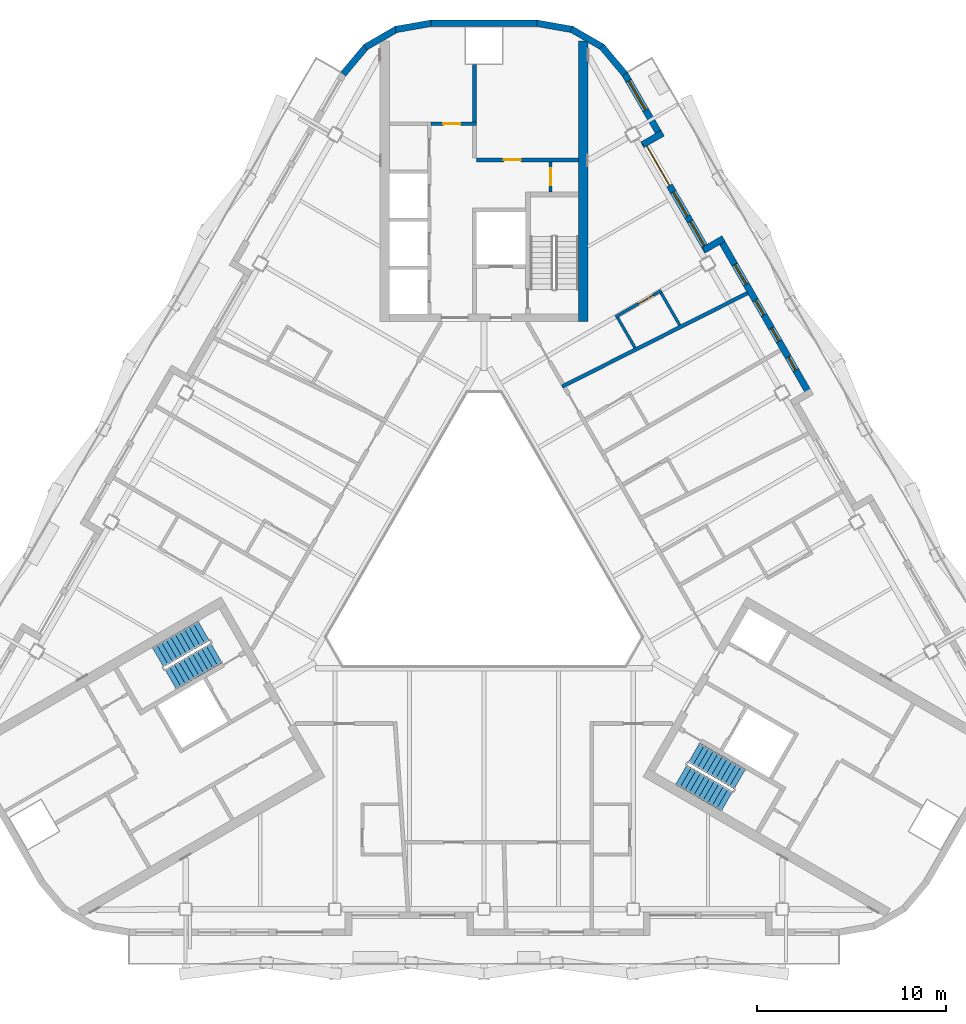
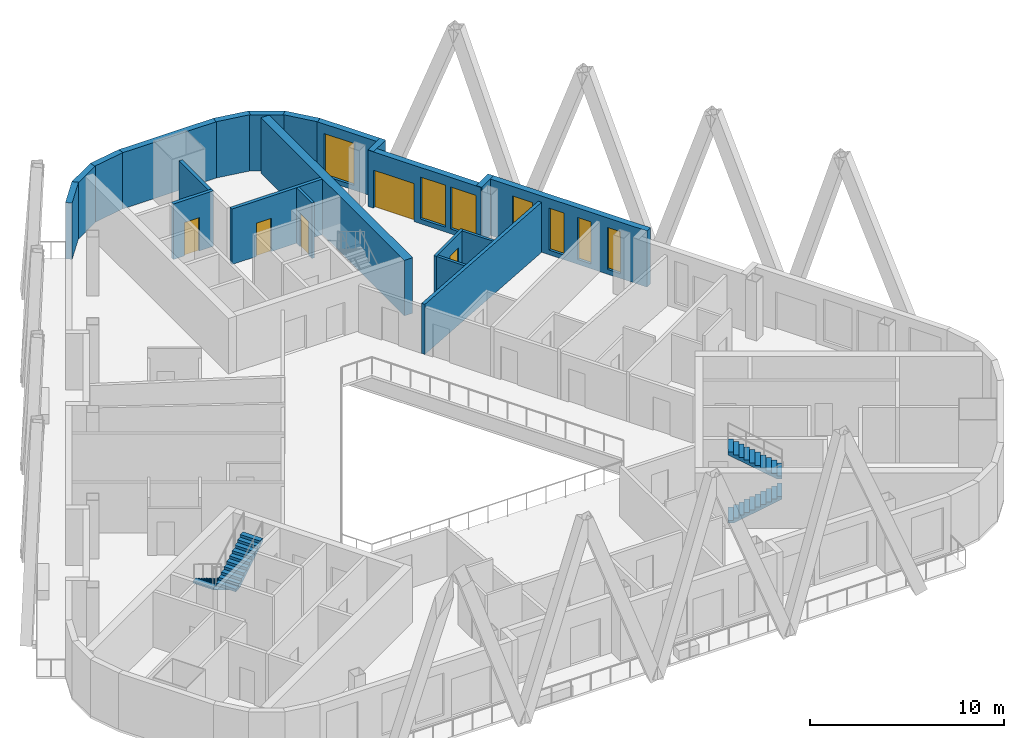
# One storey, part 10 of 18: 21 walls, 7 windows, 5 doors, 4 stair flights, 12 openings, 2 elements without a shape of their own.
"""IFC4 building model written with IfcOpenShell, lengths in metres."""

from ifc_helpers import new_model, si_unit, direction, frame, frame_2d, origin, place, context, subcontext, project, spatial, polyline, rectangle, outline, extrude, material, layer, layer_set, type_object, element, fill, aggregate, save


model = new_model("IFC4")

# Units and contexts
model_context = context("Model", 3, precision=1e-05, world=origin(), true_north=direction((0.0, 1.0)))
body_context = subcontext(model_context, "Body", "Model", "MODEL_VIEW")
ifc_project = project(units=[si_unit("LENGTHUNIT", "METRE"), si_unit("AREAUNIT", "SQUARE_METRE"), si_unit("VOLUMEUNIT", "CUBIC_METRE"), si_unit("PLANEANGLEUNIT", "RADIAN"), si_unit("MASSUNIT", "GRAM", prefix="KILO")], contexts=[model_context])

# Site, building, storey
site_placement = place(None, origin())
site = spatial("IfcSite", under=ifc_project, at=site_placement, CompositionType="ELEMENT")
building_placement = place(site_placement, origin())
building = spatial("IfcBuilding", under=site, at=building_placement, Name="Apuvela Tower Hotel", CompositionType="ELEMENT")
storey_placement = place(building_placement, frame((0.0, 0.0, 246.699951171875)))
storey = spatial("IfcBuildingStorey", under=building, at=storey_placement, Name="L60", CompositionType="ELEMENT", Elevation=246.699951171875)

# Wall
ifc_material_1 = material(Name="Concrete C50/60", Category="concrete")
ifc_layer_1 = layer(ifc_material_1, 0.5)
ifc_layer_set_1 = layer_set([ifc_layer_1], Name="COR-WALL-CORE-500")
wall_type_1 = type_object("IfcWallType", Name="COR-WALL-CORE-500", PredefinedType="SHEAR", material=ifc_layer_set_1)
wall_1_placement = place(storey_placement, frame((5.25, 12.89990234375, 0.0), z_axis=(0.0, 0.0, 1.0), x_axis=(0.0, 1.0, 0.0)))
element("IfcWall", 1, at=wall_1_placement, inside=storey, type_object=wall_type_1, Name="Core wall N", PredefinedType="SHEAR", context=body_context, shape_type="SweptSolid", body=[
    extrude(rectangle(XDim=14.8369140625, YDim=0.5, at=frame_2d((7.41845703125, 0.0))), origin(), (0.0, 0.0, 1.0), 3.5),
])

# Wall, opening, door
ifc_material_2 = material(Name="Blockwork 150 mm plastered", Category="masonry")
ifc_layer_2 = layer(ifc_material_2, 0.14990234375)
ifc_layer_set_2 = layer_set([ifc_layer_2], Name="COR-WALL-PART-150")
wall_type_2 = type_object("IfcWallType", Name="COR-WALL-PART-150", PredefinedType="PARTITIONING", material=ifc_layer_set_2)
wall_2_placement = place(storey_placement, frame((3.52490234375, 19.75, 0.0), z_axis=(0.0, 0.0, 1.0), x_axis=(0.0, 1.0, 0.0)))
wall_2 = element("IfcWall", 2, at=wall_2_placement, inside=storey, type_object=wall_type_2, Name="Partition N", PredefinedType="PARTITIONING", context=body_context, shape_type="SweptSolid", body=[
    extrude(rectangle(XDim=1.60009765625, YDim=0.14990234375, at=frame_2d((0.800048828125, 0.0))), origin(), (0.0, 0.0, 1.0), 3.5),
])
opening_1_placement = place(wall_2_placement, frame((0.35009765625, 0.0, 0.0)))
opening_1 = element("IfcOpeningElement", 3, at=opening_1_placement, cuts=wall_2, Name="Opening N-RD", PredefinedType="OPENING", context=body_context, shape_type="SweptSolid", body=[
    extrude(rectangle(XDim=0.89990234375, YDim=2.10009765625, at=frame_2d((0.449951171875, 1.050048828125))), frame((0.0, 0.0849609375, 0.0), z_axis=(0.0, -1.0, 0.0), x_axis=(1.0, 0.0, 0.0)), (0.0, 0.0, 1.0), 0.169921875),
])
ifc_material_3 = material(Name="Steel access door, powder coated", Category="steel")
door_type_1 = type_object("IfcDoorType", Name="COR-RD-900", OperationType="NOTDEFINED", PredefinedType="DOOR", material=ifc_material_3)
door_1_placement = place(opening_1_placement, frame((0.89990234375, 0.0, 0.0), z_axis=(0.0, 0.0, 1.0), x_axis=(-1.0, 0.0, 0.0)))
door_1 = element("IfcDoor", 4, at=door_1_placement, inside=storey, type_object=door_type_1, Name="Riser door N-RD", OperationType="SINGLE_SWING_RIGHT", OverallHeight=2.10009765625, OverallWidth=0.89990234375, PredefinedType="DOOR", context=body_context, shape_type="SweptSolid", body=[
    extrude(rectangle(XDim=0.89990234375, YDim=2.10009765625, at=frame_2d((0.449951171875, 1.050048828125))), frame((0.0, 0.02490234375, 0.0), z_axis=(0.0, -1.0, 0.0), x_axis=(1.0, 0.0, 0.0)), (0.0, 0.0, 1.0), 0.050048828125),
])
fill(opening_1, door_1)

ifc_material_4 = material(Name="Blockwork 200 mm plastered", Category="masonry")
ifc_layer_3 = layer(ifc_material_4, 0.199951171875)
ifc_layer_set_3 = layer_set([ifc_layer_3], Name="COR-WALL-PART-200")
wall_type_3 = type_object("IfcWallType", Name="COR-WALL-PART-200", PredefinedType="PARTITIONING", material=ifc_layer_set_3)
wall_3_placement = place(storey_placement, frame((5.0, 21.449951171875, 0.0), z_axis=(0.0, 0.0, 1.0), x_axis=(-1.0, 0.0, 0.0)))
wall_3 = element("IfcWall", 5, at=wall_3_placement, inside=storey, type_object=wall_type_3, Name="Partition N", PredefinedType="PARTITIONING", context=body_context, shape_type="SweptSolid", body=[
    extrude(rectangle(XDim=5.39990234375, YDim=0.199951171875, at=frame_2d((2.699951171875, 0.0))), origin(), (0.0, 0.0, 1.0), 3.5),
])
opening_2_placement = place(wall_3_placement, frame((3.050048828125, 0.0, 0.0)))
opening_2 = element("IfcOpeningElement", 6, at=opening_2_placement, cuts=wall_3, Name="Opening N-RS1", PredefinedType="OPENING", context=body_context, shape_type="SweptSolid", body=[
    extrude(rectangle(XDim=0.89990234375, YDim=2.10009765625, at=frame_2d((0.449951171875, 1.050048828125))), frame((0.0, 0.10986328125, 0.0), z_axis=(0.0, -1.0, 0.0), x_axis=(1.0, 0.0, 0.0)), (0.0, 0.0, 1.0), 0.219970703125),
])
ifc_material_5 = material(Name="Steel fire door, powder coated", Category="steel")
door_type_2 = type_object("IfcDoorType", Name="COR-DR-900", OperationType="NOTDEFINED", PredefinedType="DOOR", material=ifc_material_5)
door_2_placement = place(opening_2_placement, frame((0.89990234375, 0.0, 0.0), z_axis=(0.0, 0.0, 1.0), x_axis=(-1.0, 0.0, 0.0)))
door_2 = element("IfcDoor", 7, at=door_2_placement, inside=storey, type_object=door_type_2, Name="Store door N-RS1", OperationType="SINGLE_SWING_LEFT", OverallHeight=2.10009765625, OverallWidth=0.89990234375, PredefinedType="DOOR", context=body_context, shape_type="SweptSolid", body=[
    extrude(rectangle(XDim=0.89990234375, YDim=2.10009765625, at=frame_2d((0.449951171875, 1.050048828125))), frame((0.0, 0.02490234375, 0.0), z_axis=(0.0, -1.0, 0.0), x_axis=(1.0, 0.0, 0.0)), (0.0, 0.0, 1.0), 0.050048828125),
])
fill(opening_2, door_2)

ifc_layer_4 = layer(ifc_material_1, 0.199951171875)
ifc_layer_set_4 = layer_set([ifc_layer_4], Name="COR-WALL-SHAFT-200")
wall_type_4 = type_object("IfcWallType", Name="COR-WALL-SHAFT-200", PredefinedType="SHEAR", material=ifc_layer_set_4)
wall_4_placement = place(storey_placement, frame((-0.39990234375, 23.360107421875, 0.0), z_axis=(0.0, 0.0, 1.0), x_axis=(-1.0, 0.0, 0.0)))
wall_4 = element("IfcWall", 8, at=wall_4_placement, inside=storey, type_object=wall_type_4, Name="Shaft wall N", PredefinedType="SHEAR", context=body_context, shape_type="SweptSolid", body=[
    extrude(rectangle(XDim=2.400146484375, YDim=0.199951171875, at=frame_2d((1.2001953125, 0.0))), origin(), (0.0, 0.0, 1.0), 3.5),
])
opening_3_placement = place(wall_4_placement, frame((0.85009765625, 0.0, 0.0)))
opening_3 = element("IfcOpeningElement", 9, at=opening_3_placement, cuts=wall_4, Name="Opening N-REP", PredefinedType="OPENING", context=body_context, shape_type="SweptSolid", body=[
    extrude(rectangle(XDim=0.89990234375, YDim=2.10009765625, at=frame_2d((0.449951171875, 1.050048828125))), frame((0.0, 0.10986328125, 0.0), z_axis=(0.0, -1.0, 0.0), x_axis=(1.0, 0.0, 0.0)), (0.0, 0.0, 1.0), 0.219970703125),
])
door_3_placement = place(opening_3_placement, frame((0.89990234375, 0.0, 0.0), z_axis=(0.0, 0.0, 1.0), x_axis=(-1.0, 0.0, 0.0)))
door_3 = element("IfcDoor", 10, at=door_3_placement, inside=storey, type_object=door_type_2, Name="Store door N-REP", OperationType="SINGLE_SWING_LEFT", OverallHeight=2.10009765625, OverallWidth=0.89990234375, PredefinedType="DOOR", context=body_context, shape_type="SweptSolid", body=[
    extrude(rectangle(XDim=0.89990234375, YDim=2.10009765625, at=frame_2d((0.449951171875, 1.050048828125))), frame((0.0, 0.02490234375, 0.0), z_axis=(0.0, -1.0, 0.0), x_axis=(1.0, 0.0, 0.0)), (0.0, 0.0, 1.0), 0.050048828125),
])
fill(opening_3, door_3)

# Wall
wall_5_placement = place(storey_placement, frame((-0.5, 23.4599609375, 0.0), z_axis=(0.0, 0.0, 1.0), x_axis=(0.0, 1.0, 0.0)))
element("IfcWall", 11, at=wall_5_placement, inside=storey, type_object=wall_type_4, Name="Shaft wall N", PredefinedType="SHEAR", context=body_context, shape_type="SweptSolid", body=[
    extrude(rectangle(XDim=3.0400390625, YDim=0.199951171875, at=frame_2d((1.52001953125, 0.0))), origin(), (0.0, 0.0, 1.0), 3.5),
])

# Wall, openings, windows
ifc_material_6 = material(Name="Concrete C40/50, dark pigmented precast panel", Category="concrete")
ifc_layer_5 = layer(ifc_material_6, 0.35009765625)
ifc_layer_set_5 = layer_set([ifc_layer_5], Name="ENV-WALL-350")
wall_type_5 = type_object("IfcWallType", Name="ENV-WALL-350", PredefinedType="SOLIDWALL", material=ifc_layer_set_5)
wall_6_placement = place(storey_placement, frame((17.298583984375, 8.947998046875, 0.0), z_axis=(0.0, 0.0, 1.0), x_axis=(-0.500010041276, 0.866019606374, 0.0)))
wall_6 = element("IfcWall", 12, at=wall_6_placement, inside=storey, type_object=wall_type_5, Name="External wall L60-37", PredefinedType="SOLIDWALL", context=body_context, shape_type="SweptSolid", body=[
    extrude(rectangle(XDim=9.699951171875, YDim=0.35009765625, at=frame_2d((4.85009765625, 0.0))), origin(), (0.0, 0.0, 1.0), 3.550048828125),
])
opening_4_placement = place(wall_6_placement, frame((1.575439453125, 0.0, 0.300048828125)))
opening_4 = element("IfcOpeningElement", 13, at=opening_4_placement, cuts=wall_6, Name="Opening WN08", PredefinedType="OPENING", context=body_context, shape_type="SweptSolid", body=[
    extrude(rectangle(XDim=0.800048828125, YDim=2.64990234375, at=frame_2d((0.39990234375, 1.324951171875))), frame((0.0, 0.18505859375, 0.0), z_axis=(0.0, -1.0, 0.0), x_axis=(1.0, 0.0, 0.0)), (0.0, 0.0, 1.0), 0.3701171875),
])
opening_5_placement = place(wall_6_placement, frame((3.3505859375, 0.0, 0.300048828125)))
opening_5 = element("IfcOpeningElement", 14, at=opening_5_placement, cuts=wall_6, Name="Opening WN08", PredefinedType="OPENING", context=body_context, shape_type="SweptSolid", body=[
    extrude(rectangle(XDim=0.800048828125, YDim=2.64990234375, at=frame_2d((0.39990234375, 1.324951171875))), frame((0.0, 0.18505859375, 0.0), z_axis=(0.0, -1.0, 0.0), x_axis=(1.0, 0.0, 0.0)), (0.0, 0.0, 1.0), 0.3701171875),
])
opening_6_placement = place(wall_6_placement, frame((4.94921875, 0.0, 0.300048828125)))
opening_6 = element("IfcOpeningElement", 15, at=opening_6_placement, cuts=wall_6, Name="Opening WN09", PredefinedType="OPENING", context=body_context, shape_type="SweptSolid", body=[
    extrude(rectangle(XDim=0.89990234375, YDim=2.64990234375, at=frame_2d((0.449951171875, 1.324951171875))), frame((0.0, 0.18505859375, 0.0), z_axis=(0.0, -1.0, 0.0), x_axis=(1.0, 0.0, 0.0)), (0.0, 0.0, 1.0), 0.3701171875),
])
opening_7_placement = place(wall_6_placement, frame((6.840087890625, 0.0, 0.300048828125)))
opening_7 = element("IfcOpeningElement", 16, at=opening_7_placement, cuts=wall_6, Name="Opening WN12", PredefinedType="OPENING", context=body_context, shape_type="SweptSolid", body=[
    extrude(rectangle(XDim=1.199951171875, YDim=2.64990234375, at=frame_2d((0.60009765625, 1.324951171875))), frame((0.0, 0.18505859375, 0.0), z_axis=(0.0, -1.0, 0.0), x_axis=(1.0, 0.0, 0.0)), (0.0, 0.0, 1.0), 0.3701171875),
])
ifc_material_7 = material(Name="Glass, dark tinted laminated insulated glazing unit", Category="glass")
window_type_1 = type_object("IfcWindowType", Name="ENV-WIN-1200x2650", PartitioningType="SINGLE_PANEL", PredefinedType="WINDOW", material=ifc_material_7)
window_1_placement = place(opening_7_placement, origin())
window_1 = element("IfcWindow", 17, at=window_1_placement, inside=storey, type_object=window_type_1, Name="Window WN12", OverallHeight=2.64990234375, OverallWidth=1.199951171875, PartitioningType="SINGLE_PANEL", PredefinedType="WINDOW", context=body_context, shape_type="SweptSolid", body=[
    extrude(rectangle(XDim=1.199951171875, YDim=2.64990234375, at=frame_2d((0.60009765625, 1.324951171875))), frame((0.0, 0.030029296875, 0.0), z_axis=(0.0, -1.0, 0.0), x_axis=(1.0, 0.0, 0.0)), (0.0, 0.0, 1.0), 0.06005859375),
])
fill(opening_7, window_1)
window_type_2 = type_object("IfcWindowType", Name="ENV-WIN-800x2650", PartitioningType="SINGLE_PANEL", PredefinedType="WINDOW", material=ifc_material_7)
window_2_placement = place(opening_4_placement, origin())
window_2 = element("IfcWindow", 18, at=window_2_placement, inside=storey, type_object=window_type_2, Name="Window WN08", OverallHeight=2.64990234375, OverallWidth=0.800048828125, PartitioningType="SINGLE_PANEL", PredefinedType="WINDOW", context=body_context, shape_type="SweptSolid", body=[
    extrude(rectangle(XDim=0.800048828125, YDim=2.64990234375, at=frame_2d((0.39990234375, 1.324951171875))), frame((0.0, 0.030029296875, 0.0), z_axis=(0.0, -1.0, 0.0), x_axis=(1.0, 0.0, 0.0)), (0.0, 0.0, 1.0), 0.06005859375),
])
fill(opening_4, window_2)
window_3_placement = place(opening_5_placement, origin())
window_3 = element("IfcWindow", 19, at=window_3_placement, inside=storey, type_object=window_type_2, Name="Window WN08", OverallHeight=2.64990234375, OverallWidth=0.800048828125, PartitioningType="SINGLE_PANEL", PredefinedType="WINDOW", context=body_context, shape_type="SweptSolid", body=[
    extrude(rectangle(XDim=0.800048828125, YDim=2.64990234375, at=frame_2d((0.39990234375, 1.324951171875))), frame((0.0, 0.030029296875, 0.0), z_axis=(0.0, -1.0, 0.0), x_axis=(1.0, 0.0, 0.0)), (0.0, 0.0, 1.0), 0.06005859375),
])
fill(opening_5, window_3)
window_type_3 = type_object("IfcWindowType", Name="ENV-WIN-900x2650", PartitioningType="SINGLE_PANEL", PredefinedType="WINDOW", material=ifc_material_7)
window_4_placement = place(opening_6_placement, origin())
window_4 = element("IfcWindow", 20, at=window_4_placement, inside=storey, type_object=window_type_3, Name="Window WN09", OverallHeight=2.64990234375, OverallWidth=0.89990234375, PartitioningType="SINGLE_PANEL", PredefinedType="WINDOW", context=body_context, shape_type="SweptSolid", body=[
    extrude(rectangle(XDim=0.89990234375, YDim=2.64990234375, at=frame_2d((0.449951171875, 1.324951171875))), frame((0.0, 0.030029296875, 0.0), z_axis=(0.0, -1.0, 0.0), x_axis=(1.0, 0.0, 0.0)), (0.0, 0.0, 1.0), 0.06005859375),
])
fill(opening_6, window_4)

# Wall
wall_7_placement = place(storey_placement, frame((12.6875, 17.284423828125, 0.0), z_axis=(0.0, 0.0, 1.0), x_axis=(-0.865955602162, -0.500120880472, 0.0)))
element("IfcWall", 21, at=wall_7_placement, inside=storey, type_object=wall_type_5, Name="External wall L60-38", PredefinedType="SOLIDWALL", context=body_context, shape_type="SweptSolid", body=[
    extrude(rectangle(XDim=1.219970703125, YDim=0.35009765625, at=frame_2d((0.60986328125, 0.0))), origin(), (0.0, 0.0, 1.0), 3.550048828125),
])

# Wall, openings, door, windows
wall_8_placement = place(storey_placement, frame((11.8291015625, 16.621337890625, 0.0), z_axis=(0.0, 0.0, 1.0), x_axis=(-0.500003597184, 0.866023326939, 0.0)))
wall_8 = element("IfcWall", 22, at=wall_8_placement, inside=storey, type_object=wall_type_5, Name="External wall L60-39", PredefinedType="SOLIDWALL", context=body_context, shape_type="SweptSolid", body=[
    extrude(rectangle(XDim=6.740234375, YDim=0.35009765625, at=frame_2d((3.3701171875, 0.0))), origin(), (0.0, 0.0, 1.0), 3.550048828125),
])
opening_8_placement = place(wall_8_placement, frame((4.01953125, 0.0, 0.0)))
opening_8 = element("IfcOpeningElement", 23, at=opening_8_placement, cuts=wall_8, Name="Opening BD24", PredefinedType="OPENING", context=body_context, shape_type="SweptSolid", body=[
    extrude(rectangle(XDim=2.39990234375, YDim=2.39990234375, at=frame_2d((1.199951171875, 1.199951171875))), frame((0.0, 0.18505859375, 0.0), z_axis=(0.0, -1.0, 0.0), x_axis=(1.0, 0.0, 0.0)), (0.0, 0.0, 1.0), 0.3701171875),
])
opening_9_placement = place(wall_8_placement, frame((0.320068359375, 0.0, 0.300048828125)))
opening_9 = element("IfcOpeningElement", 24, at=opening_9_placement, cuts=wall_8, Name="Opening WN15", PredefinedType="OPENING", context=body_context, shape_type="SweptSolid", body=[
    extrude(rectangle(XDim=1.5, YDim=2.64990234375, at=frame_2d((0.75, 1.324951171875))), frame((0.0, 0.18505859375, 0.0), z_axis=(0.0, -1.0, 0.0), x_axis=(1.0, 0.0, 0.0)), (0.0, 0.0, 1.0), 0.3701171875),
])
opening_10_placement = place(wall_8_placement, frame((2.1201171875, 0.0, 0.300048828125)))
opening_10 = element("IfcOpeningElement", 25, at=opening_10_placement, cuts=wall_8, Name="Opening WN15", PredefinedType="OPENING", context=body_context, shape_type="SweptSolid", body=[
    extrude(rectangle(XDim=1.5, YDim=2.64990234375, at=frame_2d((0.75, 1.324951171875))), frame((0.0, 0.18505859375, 0.0), z_axis=(0.0, -1.0, 0.0), x_axis=(1.0, 0.0, 0.0)), (0.0, 0.0, 1.0), 0.3701171875),
])
ifc_material_8 = material(Name="Aluminium 6063-T6, dark bronze anodised frame with dark tinted laminated glass", Category="aluminium")
door_type_3 = type_object("IfcDoorType", Name="ENV-DOOR-BALCONY-2400x2400", OperationType="SLIDING_TO_LEFT", PredefinedType="DOOR", material=ifc_material_8)
door_4_placement = place(opening_8_placement, frame((2.39990234375, 0.0, 0.0), z_axis=(0.0, 0.0, 1.0), x_axis=(-1.0, 0.0, 0.0)))
door_4 = element("IfcDoor", 26, at=door_4_placement, inside=storey, type_object=door_type_3, Name="Balcony door BD24", OperationType="SLIDING_TO_LEFT", OverallHeight=2.39990234375, OverallWidth=2.39990234375, PredefinedType="DOOR", context=body_context, shape_type="SweptSolid", body=[
    extrude(rectangle(XDim=2.39990234375, YDim=2.39990234375, at=frame_2d((1.199951171875, 1.199951171875))), frame((0.0, 0.02490234375, 0.0), z_axis=(0.0, -1.0, 0.0), x_axis=(1.0, 0.0, 0.0)), (0.0, 0.0, 1.0), 0.050048828125),
])
fill(opening_8, door_4)
window_type_4 = type_object("IfcWindowType", Name="ENV-WIN-1500x2650", PartitioningType="SINGLE_PANEL", PredefinedType="WINDOW", material=ifc_material_7)
window_5_placement = place(opening_9_placement, origin())
window_5 = element("IfcWindow", 27, at=window_5_placement, inside=storey, type_object=window_type_4, Name="Window WN15", OverallHeight=2.64990234375, OverallWidth=1.5, PartitioningType="SINGLE_PANEL", PredefinedType="WINDOW", context=body_context, shape_type="SweptSolid", body=[
    extrude(rectangle(XDim=1.5, YDim=2.64990234375, at=frame_2d((0.75, 1.324951171875))), frame((0.0, 0.030029296875, 0.0), z_axis=(0.0, -1.0, 0.0), x_axis=(1.0, 0.0, 0.0)), (0.0, 0.0, 1.0), 0.06005859375),
])
fill(opening_9, window_5)
window_6_placement = place(opening_10_placement, origin())
window_6 = element("IfcWindow", 28, at=window_6_placement, inside=storey, type_object=window_type_4, Name="Window WN15", OverallHeight=2.64990234375, OverallWidth=1.5, PartitioningType="SINGLE_PANEL", PredefinedType="WINDOW", context=body_context, shape_type="SweptSolid", body=[
    extrude(rectangle(XDim=1.5, YDim=2.64990234375, at=frame_2d((0.75, 1.324951171875))), frame((0.0, 0.030029296875, 0.0), z_axis=(0.0, -1.0, 0.0), x_axis=(1.0, 0.0, 0.0)), (0.0, 0.0, 1.0), 0.06005859375),
])
fill(opening_10, window_6)

# Wall
wall_9_placement = place(storey_placement, frame((8.406005859375, 22.26025390625, 0.0), z_axis=(0.0, 0.0, 1.0), x_axis=(0.865955602162, 0.500120880472, 0.0)))
element("IfcWall", 29, at=wall_9_placement, inside=storey, type_object=wall_type_5, Name="External wall L60-40", PredefinedType="SOLIDWALL", context=body_context, shape_type="SweptSolid", body=[
    extrude(rectangle(XDim=1.219970703125, YDim=0.35009765625, at=frame_2d((0.60986328125, 0.0))), origin(), (0.0, 0.0, 1.0), 3.550048828125),
])

# Wall, opening, window
wall_10_placement = place(storey_placement, frame((9.3984375, 22.631103515625, 0.0), z_axis=(0.0, 0.0, 1.0), x_axis=(-0.499954521343, 0.866051659307, 0.0)))
wall_10 = element("IfcWall", 30, at=wall_10_placement, inside=storey, type_object=wall_type_5, Name="External wall L60-41", PredefinedType="SOLIDWALL", context=body_context, shape_type="SweptSolid", body=[
    extrude(rectangle(XDim=3.915771484375, YDim=0.35009765625, at=frame_2d((1.9580078125, 0.0))), origin(), (0.0, 0.0, 1.0), 3.550048828125),
])
opening_11_placement = place(wall_10_placement, frame((1.67626953125, 0.0, 0.300048828125)))
opening_11 = element("IfcOpeningElement", 31, at=opening_11_placement, cuts=wall_10, Name="Opening WN18", PredefinedType="OPENING", context=body_context, shape_type="SweptSolid", body=[
    extrude(rectangle(XDim=1.800048828125, YDim=2.64990234375, at=frame_2d((0.89990234375, 1.324951171875))), frame((0.0, 0.18505859375, 0.0), z_axis=(0.0, -1.0, 0.0), x_axis=(1.0, 0.0, 0.0)), (0.0, 0.0, 1.0), 0.3701171875),
])
window_type_5 = type_object("IfcWindowType", Name="ENV-WIN-1800x2650", PartitioningType="SINGLE_PANEL", PredefinedType="WINDOW", material=ifc_material_7)
window_7_placement = place(opening_11_placement, origin())
window_7 = element("IfcWindow", 32, at=window_7_placement, inside=storey, type_object=window_type_5, Name="Window WN18", OverallHeight=2.64990234375, OverallWidth=1.800048828125, PartitioningType="SINGLE_PANEL", PredefinedType="WINDOW", context=body_context, shape_type="SweptSolid", body=[
    extrude(rectangle(XDim=1.800048828125, YDim=2.64990234375, at=frame_2d((0.89990234375, 1.324951171875))), frame((0.0, 0.030029296875, 0.0), z_axis=(0.0, -1.0, 0.0), x_axis=(1.0, 0.0, 0.0)), (0.0, 0.0, 1.0), 0.06005859375),
])
fill(opening_11, window_7)

# Walls
wall_11_placement = place(storey_placement, frame((7.4580078125, 25.99755859375, 0.0), z_axis=(0.0, 0.0, 1.0), x_axis=(-0.642808304945, 0.766027077259, 0.0)))
element("IfcWall", 33, at=wall_11_placement, inside=storey, type_object=wall_type_5, Name="External wall L60-42", PredefinedType="SOLIDWALL", context=body_context, shape_type="SweptSolid", body=[
    extrude(rectangle(XDim=1.909912109375, YDim=0.35009765625, at=frame_2d((0.955078125, 0.0))), origin(), (0.0, 0.0, 1.0), 3.550048828125),
])
for number, where, z_axis, x_axis, name in (
    (34, (6.27685546875, 27.421630859375, 0.0), (0.0, 0.0, 1.0), (-0.866032345022, 0.499987977232, 0.0), "External wall L60-43"),
    (35, (4.6796875, 28.35595703125, 0.0), (0.0, 0.0, 1.0), (-0.984798995425, 0.173697837091, 0.0), "External wall L60-44"),
):
    element("IfcWall", number, at=place(storey_placement, frame(where, z_axis=z_axis, x_axis=x_axis)), inside=storey, type_object=wall_type_5, Name=name, PredefinedType="SOLIDWALL", context=body_context, shape_type="SweptSolid", body=[
        extrude(rectangle(XDim=1.91015625, YDim=0.35009765625, at=frame_2d((0.955078125, 0.0))), origin(), (0.0, 0.0, 1.0), 3.550048828125),
    ])
wall_12_placement = place(storey_placement, frame((2.8291015625, 28.68505859375, 0.0), z_axis=(0.0, 0.0, 1.0), x_axis=(-1.0, 0.0, 0.0)))
element("IfcWall", 36, at=wall_12_placement, inside=storey, type_object=wall_type_5, Name="External wall L60-45", PredefinedType="SOLIDWALL", context=body_context, shape_type="SweptSolid", body=[
    extrude(rectangle(XDim=5.658203125, YDim=0.35009765625, at=frame_2d((2.8291015625, 0.0))), origin(), (0.0, 0.0, 1.0), 3.550048828125),
])
for number, where, z_axis, x_axis, name in (
    (37, (-2.798583984375, 28.687744140625, 0.0), (0.0, 0.0, 1.0), (-0.984798995425, -0.173697837091, 0.0), "External wall L60-46"),
    (38, (-4.62255859375, 28.376708984375, 0.0), (0.0, 0.0, 1.0), (-0.866032345022, -0.499987977232, 0.0), "External wall L60-47"),
):
    element("IfcWall", number, at=place(storey_placement, frame(where, z_axis=z_axis, x_axis=x_axis)), inside=storey, type_object=wall_type_5, Name=name, PredefinedType="SOLIDWALL", context=body_context, shape_type="SweptSolid", body=[
        extrude(rectangle(XDim=1.91015625, YDim=0.35009765625, at=frame_2d((0.955078125, 0.0))), origin(), (0.0, 0.0, 1.0), 3.550048828125),
    ])
wall_13_placement = place(storey_placement, frame((-6.230224609375, 27.460693359375, 0.0), z_axis=(0.0, 0.0, 1.0), x_axis=(-0.642808304945, -0.766027077259, 0.0)))
element("IfcWall", 39, at=wall_13_placement, inside=storey, type_object=wall_type_5, Name="External wall L60-48", PredefinedType="SOLIDWALL", context=body_context, shape_type="SweptSolid", body=[
    extrude(rectangle(XDim=1.909912109375, YDim=0.35009765625, at=frame_2d((0.955078125, 0.0))), origin(), (0.0, 0.0, 1.0), 3.550048828125),
])
ifc_material_9 = material(Name="Gypsum board partition on twin steel stud", Category="steel")
ifc_layer_6 = layer(ifc_material_9, 0.199951171875)
ifc_layer_set_6 = layer_set([ifc_layer_6], Name="GST-PW1")
wall_type_6 = type_object("IfcWallType", Name="GST-PW1", PredefinedType="PARTITIONING", material=ifc_layer_set_6)
wall_14_placement = place(storey_placement, frame((13.951904296875, 14.39453125, 0.0), z_axis=(0.0, 0.0, 1.0), x_axis=(-0.892890171934, -0.450274517226, 0.0)))
element("IfcWall", 40, at=wall_14_placement, inside=storey, type_object=wall_type_6, Name="L60 partition 07", PredefinedType="PARTITIONING", context=body_context, shape_type="SweptSolid", body=[
    extrude(rectangle(XDim=10.99755859375, YDim=0.199951171875, at=frame_2d((5.498779296875, 0.0))), origin(), (0.0, 0.0, 1.0), 3.16015625),
])

# Wall, opening, door
ifc_material_10 = material(Name="Moisture-resistant gypsum board wet wall on steel stud", Category="steel")
ifc_layer_7 = layer(ifc_material_10, 0.14990234375)
ifc_layer_set_7 = layer_set([ifc_layer_7], Name="GST-PW3")
wall_type_7 = type_object("IfcWallType", Name="GST-PW3", PredefinedType="PARTITIONING", material=ifc_layer_set_7)
wall_15_placement = place(storey_placement, frame((9.39013671875, 14.53564453125, 0.0), z_axis=(0.0, 0.0, 1.0), x_axis=(-0.866034573852, -0.49998411664, 0.0)))
wall_15 = element("IfcWall", 41, at=wall_15_placement, inside=storey, type_object=wall_type_7, Name="L60 partition 35", PredefinedType="PARTITIONING", context=body_context, shape_type="SweptSolid", body=[
    extrude(rectangle(XDim=2.7998046875, YDim=0.14990234375, at=frame_2d((1.39990234375, 0.0))), origin(), (0.0, 0.0, 1.0), 2.949951171875),
])
opening_12_placement = place(wall_15_placement, frame((0.5, 0.0, 0.0)))
opening_12 = element("IfcOpeningElement", 42, at=opening_12_placement, cuts=wall_15, Name="Opening GD23-15", PredefinedType="OPENING", context=body_context, shape_type="SweptSolid", body=[
    extrude(rectangle(XDim=0.89990234375, YDim=2.10009765625, at=frame_2d((0.449951171875, 1.050048828125))), frame((0.0, 0.0849609375, 0.0), z_axis=(0.0, -1.0, 0.0), x_axis=(1.0, 0.0, 0.0)), (0.0, 0.0, 1.0), 0.169921875),
])
ifc_material_11 = material(Name="Timber door leaf in steel frame", Category="steel")
door_type_4 = type_object("IfcDoorType", Name="GST-D2", OperationType="NOTDEFINED", PredefinedType="DOOR", material=ifc_material_11)
door_5_placement = place(opening_12_placement, origin())
door_5 = element("IfcDoor", 43, at=door_5_placement, inside=storey, type_object=door_type_4, Name="Door L60-15", OperationType="SINGLE_SWING_LEFT", OverallHeight=2.10009765625, OverallWidth=0.89990234375, PredefinedType="DOOR", context=body_context, shape_type="SweptSolid", body=[
    extrude(rectangle(XDim=0.89990234375, YDim=2.10009765625, at=frame_2d((0.449951171875, 1.050048828125))), frame((0.0, 0.02490234375, 0.0), z_axis=(0.0, -1.0, 0.0), x_axis=(1.0, 0.0, 0.0)), (0.0, 0.0, 1.0), 0.050048828125),
])
fill(opening_12, door_5)

# Walls
wall_16_placement = place(storey_placement, frame((10.364990234375, 12.697509765625, 0.0), z_axis=(0.0, 0.0, 1.0), x_axis=(-0.500056363668, 0.86599285976, 0.0)))
element("IfcWall", 44, at=wall_16_placement, inside=storey, type_object=wall_type_7, Name="L60 partition 36", PredefinedType="PARTITIONING", context=body_context, shape_type="SweptSolid", body=[
    extrude(rectangle(XDim=2.004150390625, YDim=0.14990234375, at=frame_2d((1.001953125, 0.0))), origin(), (0.0, 0.0, 1.0), 2.949951171875),
])
wall_17_placement = place(storey_placement, frame((7.994873046875, 11.50244140625, 0.0), z_axis=(0.0, 0.0, 1.0), x_axis=(-0.4999770169, 0.866038672677, 0.0)))
element("IfcWall", 45, at=wall_17_placement, inside=storey, type_object=wall_type_7, Name="L60 partition 37", PredefinedType="PARTITIONING", context=body_context, shape_type="SweptSolid", body=[
    extrude(rectangle(XDim=1.85400390625, YDim=0.14990234375, at=frame_2d((0.927001953125, 0.0))), origin(), (0.0, 0.0, 1.0), 2.949951171875),
])

# Stair, stair flights
stair_type = type_object("IfcStairType", Name="COR-STAIR-22R", PredefinedType="HALF_TURN_STAIR", material=ifc_material_1)
stair_1_placement = place(storey_placement, origin())
stair_1 = element("IfcStair", 46, at=stair_1_placement, inside=storey, type_object=stair_type, Name="L60 Exit stair ST2", PredefinedType="HALF_TURN_STAIR")
stair_flight_type = type_object("IfcStairFlightType", Name="COR-FLIGHT-11R", PredefinedType="STRAIGHT", material=ifc_material_1)
stair_flight_1_placement = place(storey_placement, frame((-14.843994140625, -3.489501953125, 0.0), z_axis=(0.0, 0.0, 1.0), x_axis=(-0.866025403784, -0.5, 0.0)))
stair_flight_1 = element("IfcStairFlight", 47, at=stair_flight_1_placement, type_object=stair_flight_type, Name="ST2 flight 1", NumberOfRisers=11, NumberOfTreads=10, PredefinedType="STRAIGHT", RiserHeight=0.168181818, TreadLength=0.28, context=body_context, shape_type="SweptSolid", body=[
    extrude(outline(polyline([(0.0, 0.0), (0.0, 0.168212890625), (0.280029296875, 0.168212890625), (0.280029296875, 0.33642578125), (0.56005859375, 0.33642578125), (0.56005859375, 0.504638671875), (0.840087890625, 0.504638671875), (0.840087890625, 0.672607421875), (1.1201171875, 0.672607421875), (1.1201171875, 0.8408203125), (1.39990234375, 0.8408203125), (1.39990234375, 1.009033203125), (1.679931640625, 1.009033203125), (1.679931640625, 1.17724609375), (1.9599609375, 1.17724609375), (1.9599609375, 1.345458984375), (2.239990234375, 1.345458984375), (2.239990234375, 1.513671875), (2.52001953125, 1.513671875), (2.52001953125, 1.681884765625), (2.800048828125, 1.681884765625), (2.800048828125, 1.85009765625), (2.800048828125, 1.5068359375), (0.291015625, 0.0), (0.0, 0.0)])), frame((0.0, 0.60009765625, 0.0), z_axis=(0.0, -1.0, 0.0), x_axis=(1.0, 0.0, 0.0)), (0.0, 0.0, 1.0), 1.199951171875),
])
stair_flight_2_placement = place(storey_placement, frame((-16.59375, -6.05859375, 1.85009765625), z_axis=(0.0, 0.0, 1.0), x_axis=(0.866025403784, 0.5, 0.0)))
stair_flight_2 = element("IfcStairFlight", 48, at=stair_flight_2_placement, type_object=stair_flight_type, Name="ST2 flight 2", NumberOfRisers=11, NumberOfTreads=10, PredefinedType="STRAIGHT", RiserHeight=0.168181818, TreadLength=0.28, context=body_context, shape_type="SweptSolid", body=[
    extrude(outline(polyline([(0.0, 0.0), (0.0, 0.168212890625), (0.280029296875, 0.168212890625), (0.280029296875, 0.33642578125), (0.56005859375, 0.33642578125), (0.56005859375, 0.504638671875), (0.840087890625, 0.504638671875), (0.840087890625, 0.672607421875), (1.1201171875, 0.672607421875), (1.1201171875, 0.8408203125), (1.39990234375, 0.8408203125), (1.39990234375, 1.009033203125), (1.679931640625, 1.009033203125), (1.679931640625, 1.17724609375), (1.9599609375, 1.17724609375), (1.9599609375, 1.345458984375), (2.239990234375, 1.345458984375), (2.239990234375, 1.513671875), (2.52001953125, 1.513671875), (2.52001953125, 1.681884765625), (2.800048828125, 1.681884765625), (2.800048828125, 1.85009765625), (2.800048828125, 1.5068359375), (0.291015625, 0.0), (0.0, 0.0)])), frame((0.0, 0.60009765625, 0.0), z_axis=(0.0, -1.0, 0.0), x_axis=(1.0, 0.0, 0.0)), (0.0, 0.0, 1.0), 1.199951171875),
])
aggregate(stair_1, [stair_flight_1, stair_flight_2])

stair_2_placement = place(storey_placement, origin())
stair_2 = element("IfcStair", 49, at=stair_2_placement, inside=storey, type_object=stair_type, Name="L60 Exit stair ST3", PredefinedType="HALF_TURN_STAIR")
stair_flight_3_placement = place(storey_placement, frame((10.444091796875, -11.110595703125, 0.0), z_axis=(0.0, 0.0, 1.0), x_axis=(0.866025403784, -0.5, 0.0)))
stair_flight_3 = element("IfcStairFlight", 50, at=stair_flight_3_placement, type_object=stair_flight_type, Name="ST3 flight 1", NumberOfRisers=11, NumberOfTreads=10, PredefinedType="STRAIGHT", RiserHeight=0.168181818, TreadLength=0.28, context=body_context, shape_type="SweptSolid", body=[
    extrude(outline(polyline([(0.0, 0.0), (0.0, 0.168212890625), (0.280029296875, 0.168212890625), (0.280029296875, 0.33642578125), (0.56005859375, 0.33642578125), (0.56005859375, 0.504638671875), (0.840087890625, 0.504638671875), (0.840087890625, 0.672607421875), (1.1201171875, 0.672607421875), (1.1201171875, 0.8408203125), (1.39990234375, 0.8408203125), (1.39990234375, 1.009033203125), (1.679931640625, 1.009033203125), (1.679931640625, 1.17724609375), (1.9599609375, 1.17724609375), (1.9599609375, 1.345458984375), (2.239990234375, 1.345458984375), (2.239990234375, 1.513671875), (2.52001953125, 1.513671875), (2.52001953125, 1.681884765625), (2.800048828125, 1.681884765625), (2.800048828125, 1.85009765625), (2.800048828125, 1.5068359375), (0.291015625, 0.0), (0.0, 0.0)])), frame((0.0, 0.60009765625, 0.0), z_axis=(0.0, -1.0, 0.0), x_axis=(1.0, 0.0, 0.0)), (0.0, 0.0, 1.0), 1.199951171875),
])
stair_flight_4_placement = place(storey_placement, frame((13.5439453125, -11.34130859375, 1.85009765625), z_axis=(0.0, 0.0, 1.0), x_axis=(-0.866025403784, 0.5, 0.0)))
stair_flight_4 = element("IfcStairFlight", 51, at=stair_flight_4_placement, type_object=stair_flight_type, Name="ST3 flight 2", NumberOfRisers=11, NumberOfTreads=10, PredefinedType="STRAIGHT", RiserHeight=0.168181818, TreadLength=0.28, context=body_context, shape_type="SweptSolid", body=[
    extrude(outline(polyline([(0.0, 0.0), (0.0, 0.168212890625), (0.280029296875, 0.168212890625), (0.280029296875, 0.33642578125), (0.56005859375, 0.33642578125), (0.56005859375, 0.504638671875), (0.840087890625, 0.504638671875), (0.840087890625, 0.672607421875), (1.1201171875, 0.672607421875), (1.1201171875, 0.8408203125), (1.39990234375, 0.8408203125), (1.39990234375, 1.009033203125), (1.679931640625, 1.009033203125), (1.679931640625, 1.17724609375), (1.9599609375, 1.17724609375), (1.9599609375, 1.345458984375), (2.239990234375, 1.345458984375), (2.239990234375, 1.513671875), (2.52001953125, 1.513671875), (2.52001953125, 1.681884765625), (2.800048828125, 1.681884765625), (2.800048828125, 1.85009765625), (2.800048828125, 1.5068359375), (0.291015625, 0.0), (0.0, 0.0)])), frame((0.0, 0.60009765625, 0.0), z_axis=(0.0, -1.0, 0.0), x_axis=(1.0, 0.0, 0.0)), (0.0, 0.0, 1.0), 1.199951171875),
])
aggregate(stair_2, [stair_flight_3, stair_flight_4])

save(model, "model.ifc")
